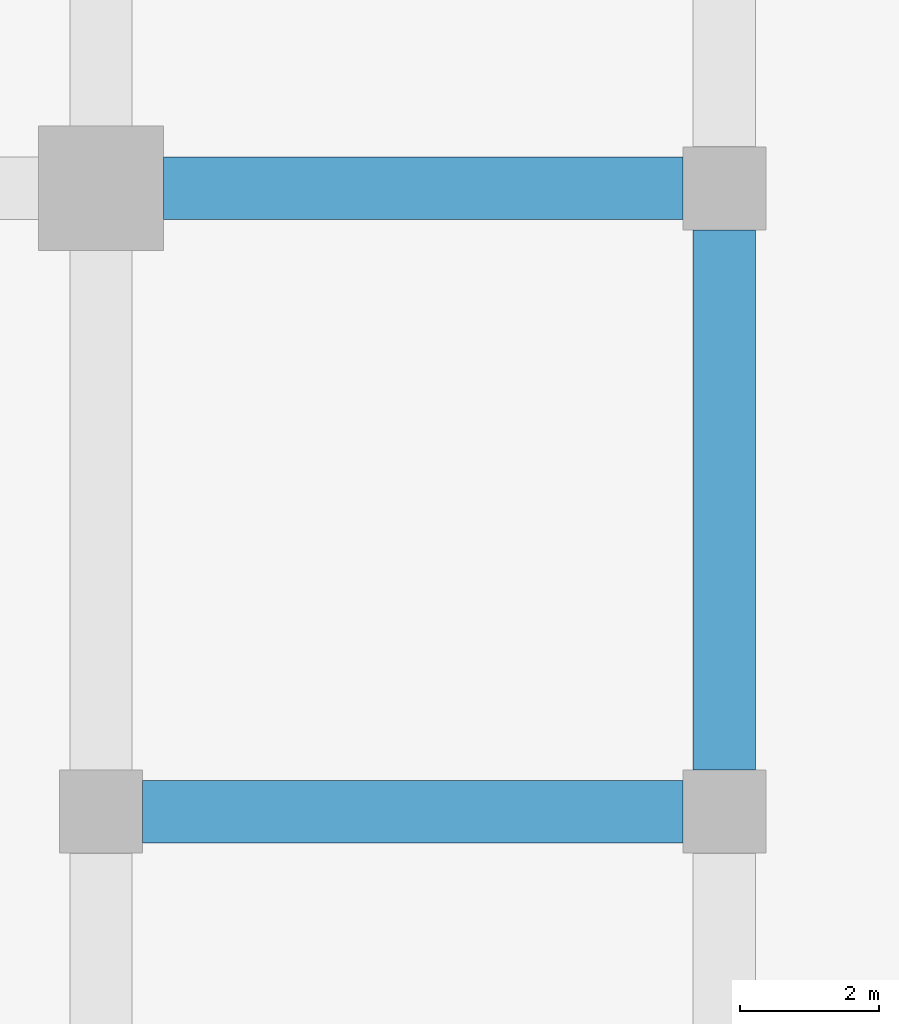
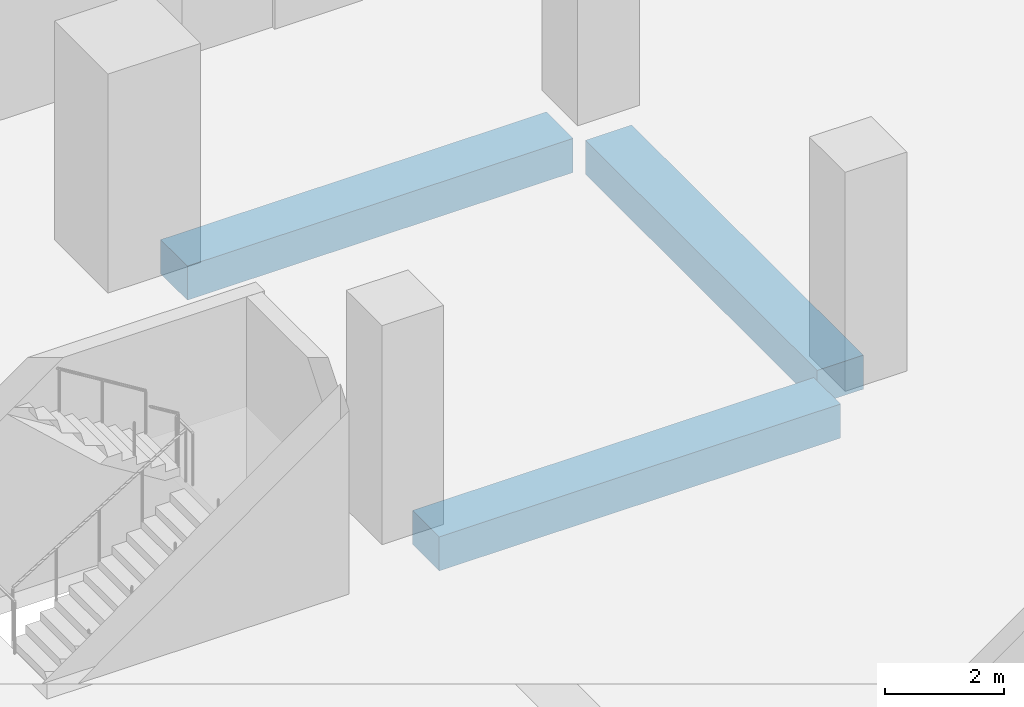
# One storey, part 15 of 43: 3 beams.
"""IFC4 building model written with IfcOpenShell, lengths in metres."""

from ifc_helpers import new_model, si_unit, direction, frame, origin, origin_2d, place, context, subcontext, project, spatial, rectangle, extrude, material, material_profile, profile_set, type_object, element, save


model = new_model("IFC4")

# Units and contexts
model_context = context("Model", 3, precision=1e-05, world=origin(), true_north=direction((0.0, 1.0)))
body_context = subcontext(model_context, "Body", "Model", "MODEL_VIEW")
ifc_project = project(units=[si_unit("LENGTHUNIT", "METRE"), si_unit("AREAUNIT", "SQUARE_METRE"), si_unit("VOLUMEUNIT", "CUBIC_METRE"), si_unit("PLANEANGLEUNIT", "RADIAN"), si_unit("MASSUNIT", "GRAM", prefix="KILO")], contexts=[model_context])

# Site, building, storey
site_placement = place(None, origin())
site = spatial("IfcSite", under=ifc_project, at=site_placement, CompositionType="ELEMENT")
building_placement = place(site_placement, origin())
building = spatial("IfcBuilding", under=site, at=building_placement, Name="Plateau Cross Towers", CompositionType="ELEMENT")
storey_placement = place(building_placement, frame((0.0, 0.0, 17.300048828125)))
storey = spatial("IfcBuildingStorey", under=building, at=storey_placement, Name="L03", CompositionType="ELEMENT", Elevation=17.300048828125)

# Beams
ifc_material = material(Name="Concrete C50/60", Category="concrete")
ifc_material_profile = material_profile(ifc_material, rectangle(XDim=0.89990234375, YDim=0.699951171875, at=origin_2d()), Name="RC 900x700")
ifc_profile_set = profile_set([ifc_material_profile], Name="Concrete C50/60")
beam_type = type_object("IfcBeamType", Name="Podium band beam RC 900x700", PredefinedType="BEAM", material=ifc_profile_set)
beam_1_placement = place(storey_placement, frame((54.60009765625, 9.0, -0.699951171875), z_axis=(1.0, 0.0, 0.0), x_axis=(0.0, 1.0, 0.0)))
element("IfcBeam", 1, at=beam_1_placement, inside=storey, type_object=beam_type, Name="PB27@L03", PredefinedType="BEAM", context=body_context, shape_type="SweptSolid", body=[
    extrude(rectangle(XDim=0.89990234375, YDim=0.699951171875, at=origin_2d()), origin(), (0.0, 0.0, 1.0), 7.7998046875),
])
beam_2_placement = place(storey_placement, frame((54.89990234375, 18.0, -0.699951171875), z_axis=(1.0, 0.0, 0.0), x_axis=(0.0, 1.0, 0.0)))
element("IfcBeam", 2, at=beam_2_placement, inside=storey, type_object=beam_type, Name="PB31@L03", PredefinedType="BEAM", context=body_context, shape_type="SweptSolid", body=[
    extrude(rectangle(XDim=0.89990234375, YDim=0.699951171875, at=origin_2d()), origin(), (0.0, 0.0, 1.0), 7.5),
])
beam_3_placement = place(storey_placement, frame((63.0, 9.60009765625, -0.699951171875), z_axis=(0.0, 1.0, 0.0), x_axis=(-1.0, 0.0, 0.0)))
element("IfcBeam", 3, at=beam_3_placement, inside=storey, type_object=beam_type, Name="PB151@L03", PredefinedType="BEAM", context=body_context, shape_type="SweptSolid", body=[
    extrude(rectangle(XDim=0.89990234375, YDim=0.699951171875, at=origin_2d()), origin(), (0.0, 0.0, 1.0), 7.7998046875),
])

save(model, "model.ifc")
